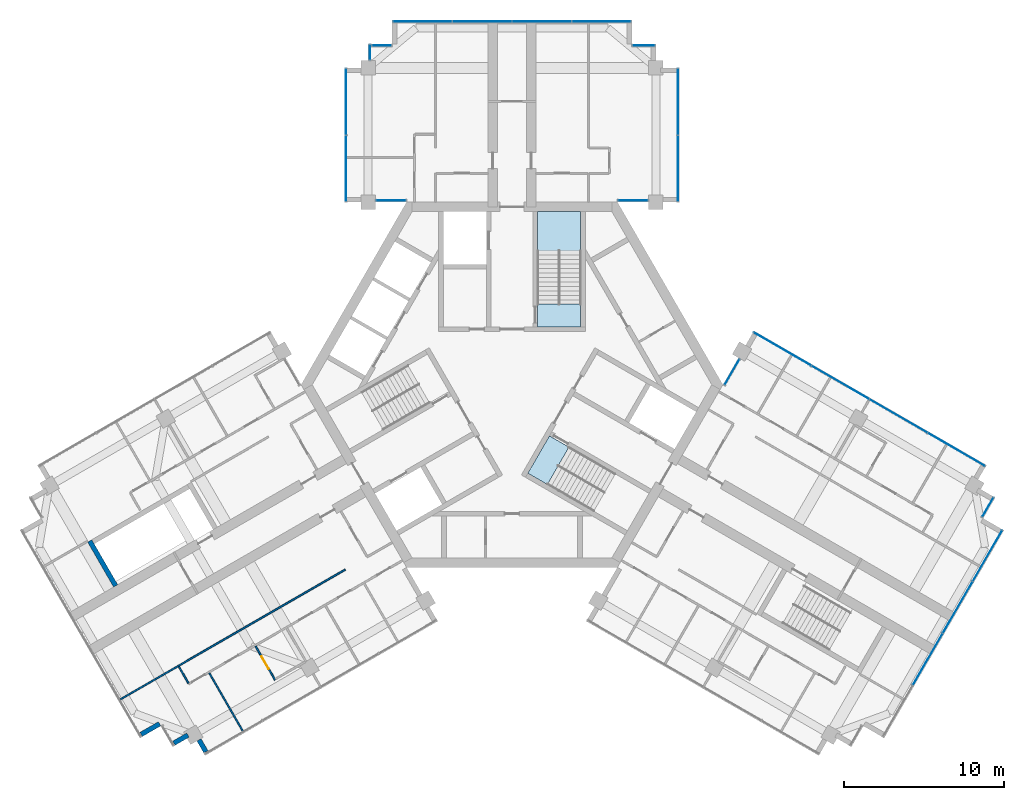
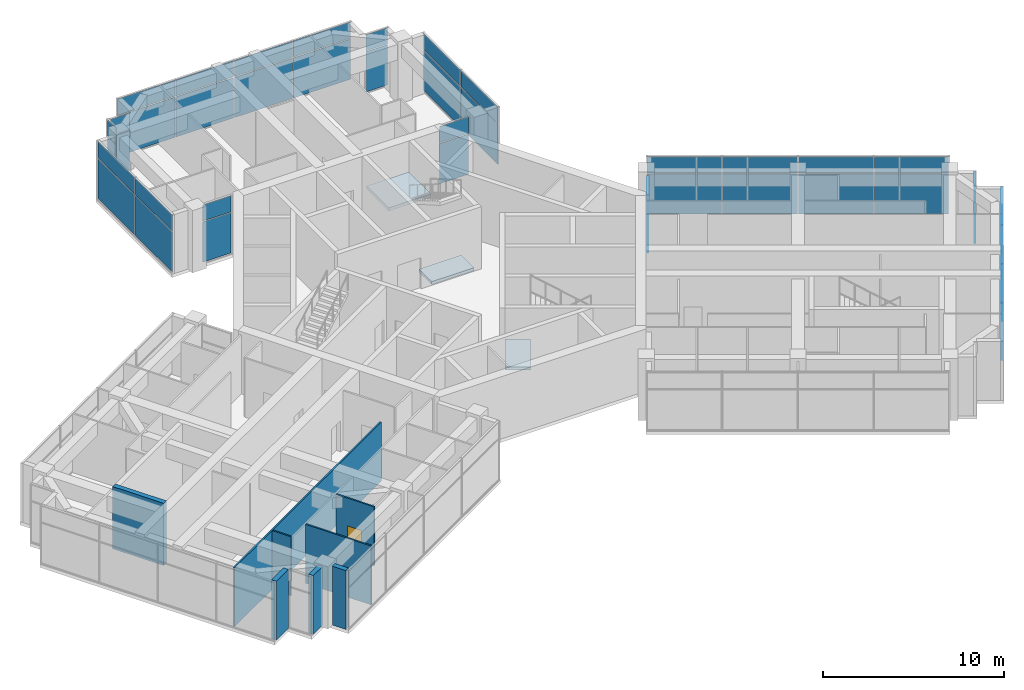
# One storey, part 8 of 14: 44 plates, 8 walls, 3 slabs, 1 door, 1 opening, 14 elements without a shape of their own.
"""IFC4 building model written with IfcOpenShell, lengths in metres."""

from ifc_helpers import new_model, si_unit, direction, frame, frame_2d, origin, origin_2d, place, context, subcontext, project, spatial, polyline, rectangle, outline, extrude, material, layer, layer_set, type_object, element, fill, aggregate, save


model = new_model("IFC4")

# Units and contexts
model_context = context("Model", 3, precision=1e-05, world=origin(), true_north=direction((0.0, 1.0)))
body_context = subcontext(model_context, "Body", "Model", "MODEL_VIEW")
ifc_project = project(units=[si_unit("LENGTHUNIT", "METRE"), si_unit("AREAUNIT", "SQUARE_METRE"), si_unit("VOLUMEUNIT", "CUBIC_METRE"), si_unit("PLANEANGLEUNIT", "RADIAN"), si_unit("MASSUNIT", "GRAM", prefix="KILO")], contexts=[model_context])

# Site, building, storey
site_placement = place(None, origin())
site = spatial("IfcSite", under=ifc_project, at=site_placement, CompositionType="ELEMENT")
building_placement = place(site_placement, origin())
building = spatial("IfcBuilding", under=site, at=building_placement, Name="Impinga Residences", CompositionType="ELEMENT")
storey_placement = place(building_placement, frame((0.0, 0.0, 278.949951171875)))
storey = spatial("IfcBuildingStorey", under=building, at=storey_placement, Name="L70", CompositionType="ELEMENT", Elevation=278.949951171875)

# Curtain wall, plates
ifc_material_1 = material(Name="Aluminium stick curtain wall", Category="aluminium")
curtain_wall_type = type_object("IfcCurtainWallType", Name="CW3 penthouse curtain wall", PredefinedType="USERDEFINED", material=ifc_material_1)
curtain_wall_1_placement = place(storey_placement, origin())
curtain_wall_1 = element("IfcCurtainWall", 1, at=curtain_wall_1_placement, inside=storey, type_object=curtain_wall_type, Name="Curtain wall CW3 L70", ObjectType="STICK CURTAIN WALL", PredefinedType="USERDEFINED")
ifc_material_2 = material(Name="Clear double glazing", Category="glass")
ifc_layer_1 = layer(ifc_material_2, 0.028076171875)
ifc_layer_set_1 = layer_set([ifc_layer_1], Name="CW3-P clear double glazed panel 28")
plate_type = type_object("IfcPlateType", Name="CW3-P clear double glazed panel 28", PredefinedType="CURTAIN_PANEL", material=ifc_layer_set_1)
plate_1_placement = place(storey_placement, frame((-7.573486328125, 11.531494140625, 0.06005859375), z_axis=(0.0, 0.0, 1.0), x_axis=(-1.0, 0.0, 0.0)))
plate_1 = element("IfcPlate", 2, at=plate_1_placement, type_object=plate_type, Name="CW3 panel 1.1", PredefinedType="CURTAIN_PANEL", context=body_context, shape_type="SweptSolid", body=[
    extrude(rectangle(XDim=1.826904296875, YDim=0.028076171875, at=origin_2d()), origin(), (0.0, 0.0, 1.0), 2.7099609375),
])
plate_2_placement = place(storey_placement, frame((-7.573486328125, 11.531494140625, 2.830078125), z_axis=(0.0, 0.0, 1.0), x_axis=(-1.0, 0.0, 0.0)))
plate_2 = element("IfcPlate", 3, at=plate_2_placement, type_object=plate_type, Name="CW3 panel 1.2", PredefinedType="CURTAIN_PANEL", context=body_context, shape_type="SweptSolid", body=[
    extrude(rectangle(XDim=1.826904296875, YDim=0.028076171875, at=origin_2d()), origin(), (0.0, 0.0, 1.0), 1.090087890625),
])
aggregate(curtain_wall_1, [plate_1, plate_2])

curtain_wall_2_placement = place(storey_placement, origin())
curtain_wall_2 = element("IfcCurtainWall", 4, at=curtain_wall_2_placement, inside=storey, type_object=curtain_wall_type, Name="Curtain wall CW3 L70", ObjectType="STICK CURTAIN WALL", PredefinedType="USERDEFINED")
plate_3_placement = place(storey_placement, frame((-10.39990234375, 13.546630859375, 0.06005859375), z_axis=(0.0, 0.0, 1.0), x_axis=(0.0, 1.0, 0.0)))
plate_3 = element("IfcPlate", 5, at=plate_3_placement, type_object=plate_type, Name="CW3 panel 1.1", PredefinedType="CURTAIN_PANEL", context=body_context, shape_type="SweptSolid", body=[
    extrude(rectangle(XDim=4.110107421875, YDim=0.028076171875, at=origin_2d()), origin(), (0.0, 0.0, 1.0), 2.7099609375),
])
plate_4_placement = place(storey_placement, frame((-10.39990234375, 13.546630859375, 2.830078125), z_axis=(0.0, 0.0, 1.0), x_axis=(0.0, 1.0, 0.0)))
plate_4 = element("IfcPlate", 6, at=plate_4_placement, type_object=plate_type, Name="CW3 panel 1.2", PredefinedType="CURTAIN_PANEL", context=body_context, shape_type="SweptSolid", body=[
    extrude(rectangle(XDim=4.110107421875, YDim=0.028076171875, at=origin_2d()), origin(), (0.0, 0.0, 1.0), 1.090087890625),
])
plate_5_placement = place(storey_placement, frame((-10.39990234375, 17.716552734375, 0.06005859375), z_axis=(0.0, 0.0, 1.0), x_axis=(0.0, 1.0, 0.0)))
plate_5 = element("IfcPlate", 7, at=plate_5_placement, type_object=plate_type, Name="CW3 panel 2.1", PredefinedType="CURTAIN_PANEL", context=body_context, shape_type="SweptSolid", body=[
    extrude(rectangle(XDim=4.110107421875, YDim=0.028076171875, at=origin_2d()), origin(), (0.0, 0.0, 1.0), 2.7099609375),
])
plate_6_placement = place(storey_placement, frame((-10.39990234375, 17.716552734375, 2.830078125), z_axis=(0.0, 0.0, 1.0), x_axis=(0.0, 1.0, 0.0)))
plate_6 = element("IfcPlate", 8, at=plate_6_placement, type_object=plate_type, Name="CW3 panel 2.2", PredefinedType="CURTAIN_PANEL", context=body_context, shape_type="SweptSolid", body=[
    extrude(rectangle(XDim=4.110107421875, YDim=0.028076171875, at=origin_2d()), origin(), (0.0, 0.0, 1.0), 1.090087890625),
])
aggregate(curtain_wall_2, [plate_3, plate_4, plate_5, plate_6])

curtain_wall_3_placement = place(storey_placement, origin())
curtain_wall_3 = element("IfcCurtainWall", 9, at=curtain_wall_3_placement, inside=storey, type_object=curtain_wall_type, Name="Curtain wall CW3 L70", ObjectType="STICK CURTAIN WALL", PredefinedType="USERDEFINED")
plate_7_placement = place(storey_placement, frame((-8.89990234375, 20.80810546875, 0.06005859375), z_axis=(0.0, 0.0, 1.0), x_axis=(0.0, 1.0, 0.0)))
plate_7 = element("IfcPlate", 10, at=plate_7_placement, type_object=plate_type, Name="CW3 panel 1.1", PredefinedType="CURTAIN_PANEL", context=body_context, shape_type="SweptSolid", body=[
    extrude(rectangle(XDim=0.927001953125, YDim=0.028076171875, at=origin_2d()), origin(), (0.0, 0.0, 1.0), 2.7099609375),
])
plate_8_placement = place(storey_placement, frame((-8.89990234375, 20.80810546875, 2.830078125), z_axis=(0.0, 0.0, 1.0), x_axis=(0.0, 1.0, 0.0)))
plate_8 = element("IfcPlate", 11, at=plate_8_placement, type_object=plate_type, Name="CW3 panel 1.2", PredefinedType="CURTAIN_PANEL", context=body_context, shape_type="SweptSolid", body=[
    extrude(rectangle(XDim=0.927001953125, YDim=0.028076171875, at=origin_2d()), origin(), (0.0, 0.0, 1.0), 1.090087890625),
])
aggregate(curtain_wall_3, [plate_7, plate_8])

curtain_wall_4_placement = place(storey_placement, origin())
curtain_wall_4 = element("IfcCurtainWall", 12, at=curtain_wall_4_placement, inside=storey, type_object=curtain_wall_type, Name="Curtain wall CW3 L70", ObjectType="STICK CURTAIN WALL", PredefinedType="USERDEFINED")
plate_9_placement = place(storey_placement, frame((-8.14990234375, 21.2314453125, 0.06005859375), z_axis=(0.0, 0.0, 1.0), x_axis=(1.0, 0.0, 0.0)))
plate_9 = element("IfcPlate", 13, at=plate_9_placement, type_object=plate_type, Name="CW3 panel 1.1", PredefinedType="CURTAIN_PANEL", context=body_context, shape_type="SweptSolid", body=[
    extrude(rectangle(XDim=1.179931640625, YDim=0.028076171875, at=origin_2d()), origin(), (0.0, 0.0, 1.0), 2.7099609375),
])
plate_10_placement = place(storey_placement, frame((-8.14990234375, 21.2314453125, 2.830078125), z_axis=(0.0, 0.0, 1.0), x_axis=(1.0, 0.0, 0.0)))
plate_10 = element("IfcPlate", 14, at=plate_10_placement, type_object=plate_type, Name="CW3 panel 1.2", PredefinedType="CURTAIN_PANEL", context=body_context, shape_type="SweptSolid", body=[
    extrude(rectangle(XDim=1.179931640625, YDim=0.028076171875, at=origin_2d()), origin(), (0.0, 0.0, 1.0), 1.090087890625),
])
aggregate(curtain_wall_4, [plate_9, plate_10])

curtain_wall_5_placement = place(storey_placement, origin())
curtain_wall_5 = element("IfcCurtainWall", 15, at=curtain_wall_5_placement, inside=storey, type_object=curtain_wall_type, Name="Curtain wall CW3 L70", ObjectType="STICK CURTAIN WALL", PredefinedType="USERDEFINED")
plate_11_placement = place(storey_placement, frame((-5.610107421875, 22.7314453125, 0.06005859375), z_axis=(0.0, 0.0, 1.0), x_axis=(1.0, 0.0, 0.0)))
plate_11 = element("IfcPlate", 16, at=plate_11_placement, type_object=plate_type, Name="CW3 panel 1.1", PredefinedType="CURTAIN_PANEL", context=body_context, shape_type="SweptSolid", body=[
    extrude(rectangle(XDim=3.659912109375, YDim=0.028076171875, at=origin_2d()), origin(), (0.0, 0.0, 1.0), 2.7099609375),
])
plate_12_placement = place(storey_placement, frame((-5.610107421875, 22.7314453125, 2.830078125), z_axis=(0.0, 0.0, 1.0), x_axis=(1.0, 0.0, 0.0)))
plate_12 = element("IfcPlate", 17, at=plate_12_placement, type_object=plate_type, Name="CW3 panel 1.2", PredefinedType="CURTAIN_PANEL", context=body_context, shape_type="SweptSolid", body=[
    extrude(rectangle(XDim=3.659912109375, YDim=0.028076171875, at=origin_2d()), origin(), (0.0, 0.0, 1.0), 1.090087890625),
])
plate_13_placement = place(storey_placement, frame((-1.875, 22.7314453125, 0.06005859375), z_axis=(0.0, 0.0, 1.0), x_axis=(1.0, 0.0, 0.0)))
plate_13 = element("IfcPlate", 18, at=plate_13_placement, type_object=plate_type, Name="CW3 panel 2.1", PredefinedType="CURTAIN_PANEL", context=body_context, shape_type="SweptSolid", body=[
    extrude(rectangle(XDim=3.68994140625, YDim=0.028076171875, at=origin_2d()), origin(), (0.0, 0.0, 1.0), 2.7099609375),
])
plate_14_placement = place(storey_placement, frame((-1.875, 22.7314453125, 2.830078125), z_axis=(0.0, 0.0, 1.0), x_axis=(1.0, 0.0, 0.0)))
plate_14 = element("IfcPlate", 19, at=plate_14_placement, type_object=plate_type, Name="CW3 panel 2.2", PredefinedType="CURTAIN_PANEL", context=body_context, shape_type="SweptSolid", body=[
    extrude(rectangle(XDim=3.68994140625, YDim=0.028076171875, at=origin_2d()), origin(), (0.0, 0.0, 1.0), 1.090087890625),
])
plate_15_placement = place(storey_placement, frame((1.875, 22.7314453125, 0.06005859375), z_axis=(0.0, 0.0, 1.0), x_axis=(1.0, 0.0, 0.0)))
plate_15 = element("IfcPlate", 20, at=plate_15_placement, type_object=plate_type, Name="CW3 panel 3.1", PredefinedType="CURTAIN_PANEL", context=body_context, shape_type="SweptSolid", body=[
    extrude(rectangle(XDim=3.68994140625, YDim=0.028076171875, at=origin_2d()), origin(), (0.0, 0.0, 1.0), 2.7099609375),
])
plate_16_placement = place(storey_placement, frame((1.875, 22.7314453125, 2.830078125), z_axis=(0.0, 0.0, 1.0), x_axis=(1.0, 0.0, 0.0)))
plate_16 = element("IfcPlate", 21, at=plate_16_placement, type_object=plate_type, Name="CW3 panel 3.2", PredefinedType="CURTAIN_PANEL", context=body_context, shape_type="SweptSolid", body=[
    extrude(rectangle(XDim=3.68994140625, YDim=0.028076171875, at=origin_2d()), origin(), (0.0, 0.0, 1.0), 1.090087890625),
])
plate_17_placement = place(storey_placement, frame((5.610107421875, 22.7314453125, 0.06005859375), z_axis=(0.0, 0.0, 1.0), x_axis=(1.0, 0.0, 0.0)))
plate_17 = element("IfcPlate", 22, at=plate_17_placement, type_object=plate_type, Name="CW3 panel 4.1", PredefinedType="CURTAIN_PANEL", context=body_context, shape_type="SweptSolid", body=[
    extrude(rectangle(XDim=3.659912109375, YDim=0.028076171875, at=origin_2d()), origin(), (0.0, 0.0, 1.0), 2.7099609375),
])
plate_18_placement = place(storey_placement, frame((5.610107421875, 22.7314453125, 2.830078125), z_axis=(0.0, 0.0, 1.0), x_axis=(1.0, 0.0, 0.0)))
plate_18 = element("IfcPlate", 23, at=plate_18_placement, type_object=plate_type, Name="CW3 panel 4.2", PredefinedType="CURTAIN_PANEL", context=body_context, shape_type="SweptSolid", body=[
    extrude(rectangle(XDim=3.659912109375, YDim=0.028076171875, at=origin_2d()), origin(), (0.0, 0.0, 1.0), 1.090087890625),
])
aggregate(curtain_wall_5, [plate_11, plate_12, plate_13, plate_14, plate_15, plate_16, plate_17, plate_18])

curtain_wall_6_placement = place(storey_placement, origin())
curtain_wall_6 = element("IfcCurtainWall", 24, at=curtain_wall_6_placement, inside=storey, type_object=curtain_wall_type, Name="Curtain wall CW3 L70", ObjectType="STICK CURTAIN WALL", PredefinedType="USERDEFINED")
plate_19_placement = place(storey_placement, frame((8.25, 21.2314453125, 0.06005859375), z_axis=(0.0, 0.0, 1.0), x_axis=(1.0, 0.0, 0.0)))
plate_19 = element("IfcPlate", 25, at=plate_19_placement, type_object=plate_type, Name="CW3 panel 1.1", PredefinedType="CURTAIN_PANEL", context=body_context, shape_type="SweptSolid", body=[
    extrude(rectangle(XDim=1.3798828125, YDim=0.028076171875, at=origin_2d()), origin(), (0.0, 0.0, 1.0), 2.7099609375),
])
plate_20_placement = place(storey_placement, frame((8.25, 21.2314453125, 2.830078125), z_axis=(0.0, 0.0, 1.0), x_axis=(1.0, 0.0, 0.0)))
plate_20 = element("IfcPlate", 26, at=plate_20_placement, type_object=plate_type, Name="CW3 panel 1.2", PredefinedType="CURTAIN_PANEL", context=body_context, shape_type="SweptSolid", body=[
    extrude(rectangle(XDim=1.3798828125, YDim=0.028076171875, at=origin_2d()), origin(), (0.0, 0.0, 1.0), 1.090087890625),
])
aggregate(curtain_wall_6, [plate_19, plate_20])

curtain_wall_7_placement = place(storey_placement, origin())
curtain_wall_7 = element("IfcCurtainWall", 27, at=curtain_wall_7_placement, inside=storey, type_object=curtain_wall_type, Name="Curtain wall CW3 L70", ObjectType="STICK CURTAIN WALL", PredefinedType="USERDEFINED")
plate_21_placement = place(storey_placement, frame((10.39990234375, 17.716552734375, 0.06005859375), z_axis=(0.0, 0.0, 1.0), x_axis=(0.0, -1.0, 0.0)))
plate_21 = element("IfcPlate", 28, at=plate_21_placement, type_object=plate_type, Name="CW3 panel 1.1", PredefinedType="CURTAIN_PANEL", context=body_context, shape_type="SweptSolid", body=[
    extrude(rectangle(XDim=4.110107421875, YDim=0.028076171875, at=origin_2d()), origin(), (0.0, 0.0, 1.0), 2.7099609375),
])
plate_22_placement = place(storey_placement, frame((10.39990234375, 17.716552734375, 2.830078125), z_axis=(0.0, 0.0, 1.0), x_axis=(0.0, -1.0, 0.0)))
plate_22 = element("IfcPlate", 29, at=plate_22_placement, type_object=plate_type, Name="CW3 panel 1.2", PredefinedType="CURTAIN_PANEL", context=body_context, shape_type="SweptSolid", body=[
    extrude(rectangle(XDim=4.110107421875, YDim=0.028076171875, at=origin_2d()), origin(), (0.0, 0.0, 1.0), 1.090087890625),
])
plate_23_placement = place(storey_placement, frame((10.39990234375, 13.546630859375, 0.06005859375), z_axis=(0.0, 0.0, 1.0), x_axis=(0.0, -1.0, 0.0)))
plate_23 = element("IfcPlate", 30, at=plate_23_placement, type_object=plate_type, Name="CW3 panel 2.1", PredefinedType="CURTAIN_PANEL", context=body_context, shape_type="SweptSolid", body=[
    extrude(rectangle(XDim=4.110107421875, YDim=0.028076171875, at=origin_2d()), origin(), (0.0, 0.0, 1.0), 2.7099609375),
])
plate_24_placement = place(storey_placement, frame((10.39990234375, 13.546630859375, 2.830078125), z_axis=(0.0, 0.0, 1.0), x_axis=(0.0, -1.0, 0.0)))
plate_24 = element("IfcPlate", 31, at=plate_24_placement, type_object=plate_type, Name="CW3 panel 2.2", PredefinedType="CURTAIN_PANEL", context=body_context, shape_type="SweptSolid", body=[
    extrude(rectangle(XDim=4.110107421875, YDim=0.028076171875, at=origin_2d()), origin(), (0.0, 0.0, 1.0), 1.090087890625),
])
aggregate(curtain_wall_7, [plate_21, plate_22, plate_23, plate_24])

curtain_wall_8_placement = place(storey_placement, origin())
curtain_wall_8 = element("IfcCurtainWall", 32, at=curtain_wall_8_placement, inside=storey, type_object=curtain_wall_type, Name="Curtain wall CW3 L70", ObjectType="STICK CURTAIN WALL", PredefinedType="USERDEFINED")
plate_25_placement = place(storey_placement, frame((7.573486328125, 11.531494140625, 0.06005859375), z_axis=(0.0, 0.0, 1.0), x_axis=(-1.0, 0.0, 0.0)))
plate_25 = element("IfcPlate", 33, at=plate_25_placement, type_object=plate_type, Name="CW3 panel 1.1", PredefinedType="CURTAIN_PANEL", context=body_context, shape_type="SweptSolid", body=[
    extrude(rectangle(XDim=1.826904296875, YDim=0.028076171875, at=origin_2d()), origin(), (0.0, 0.0, 1.0), 2.7099609375),
])
plate_26_placement = place(storey_placement, frame((7.573486328125, 11.531494140625, 2.830078125), z_axis=(0.0, 0.0, 1.0), x_axis=(-1.0, 0.0, 0.0)))
plate_26 = element("IfcPlate", 34, at=plate_26_placement, type_object=plate_type, Name="CW3 panel 1.2", PredefinedType="CURTAIN_PANEL", context=body_context, shape_type="SweptSolid", body=[
    extrude(rectangle(XDim=1.826904296875, YDim=0.028076171875, at=origin_2d()), origin(), (0.0, 0.0, 1.0), 1.090087890625),
])
aggregate(curtain_wall_8, [plate_25, plate_26])

curtain_wall_9_placement = place(storey_placement, origin())
curtain_wall_9 = element("IfcCurtainWall", 35, at=curtain_wall_9_placement, inside=storey, type_object=curtain_wall_type, Name="Curtain wall CW3 L70", ObjectType="STICK CURTAIN WALL", PredefinedType="USERDEFINED")
plate_27_placement = place(storey_placement, frame((13.7734375, 0.79296875, 0.06005859375), z_axis=(0.0, 0.0, 1.0), x_axis=(0.50000010257, 0.866025344565, 0.0)))
plate_27 = element("IfcPlate", 36, at=plate_27_placement, type_object=plate_type, Name="CW3 panel 1.1", PredefinedType="CURTAIN_PANEL", context=body_context, shape_type="SweptSolid", body=[
    extrude(rectangle(XDim=1.826904296875, YDim=0.028076171875, at=origin_2d()), origin(), (0.0, 0.0, 1.0), 2.7099609375),
])
plate_28_placement = place(storey_placement, frame((13.7734375, 0.79296875, 2.830078125), z_axis=(0.0, 0.0, 1.0), x_axis=(0.50000010257, 0.866025344565, 0.0)))
plate_28 = element("IfcPlate", 37, at=plate_28_placement, type_object=plate_type, Name="CW3 panel 1.2", PredefinedType="CURTAIN_PANEL", context=body_context, shape_type="SweptSolid", body=[
    extrude(rectangle(XDim=1.826904296875, YDim=0.028076171875, at=origin_2d()), origin(), (0.0, 0.0, 1.0), 1.090087890625),
])
aggregate(curtain_wall_9, [plate_27, plate_28])

curtain_wall_10_placement = place(storey_placement, origin())
curtain_wall_10 = element("IfcCurtainWall", 38, at=curtain_wall_10_placement, inside=storey, type_object=curtain_wall_type, Name="Curtain wall CW3 L70", ObjectType="STICK CURTAIN WALL", PredefinedType="USERDEFINED")
plate_29_placement = place(storey_placement, frame((16.931640625, 2.2333984375, 0.06005859375), z_axis=(0.0, 0.0, 1.0), x_axis=(0.866025407005, -0.499999994423, 0.0)))
plate_29 = element("IfcPlate", 39, at=plate_29_placement, type_object=plate_type, Name="CW3 panel 1.1", PredefinedType="CURTAIN_PANEL", context=body_context, shape_type="SweptSolid", body=[
    extrude(rectangle(XDim=4.110107421875, YDim=0.028076171875, at=origin_2d()), origin(), (0.0, 0.0, 1.0), 2.7099609375),
])
plate_30_placement = place(storey_placement, frame((16.931640625, 2.2333984375, 2.830078125), z_axis=(0.0, 0.0, 1.0), x_axis=(0.866025407005, -0.499999994423, 0.0)))
plate_30 = element("IfcPlate", 40, at=plate_30_placement, type_object=plate_type, Name="CW3 panel 1.2", PredefinedType="CURTAIN_PANEL", context=body_context, shape_type="SweptSolid", body=[
    extrude(rectangle(XDim=4.110107421875, YDim=0.028076171875, at=origin_2d()), origin(), (0.0, 0.0, 1.0), 1.090087890625),
])
plate_31_placement = place(storey_placement, frame((20.555908203125, 0.140869140625, 0.06005859375), z_axis=(0.0, 0.0, 1.0), x_axis=(0.866025407005, -0.499999994423, 0.0)))
plate_31 = element("IfcPlate", 41, at=plate_31_placement, type_object=plate_type, Name="CW3 panel 2.1", PredefinedType="CURTAIN_PANEL", context=body_context, shape_type="SweptSolid", body=[
    extrude(rectangle(XDim=4.139892578125, YDim=0.028076171875, at=origin_2d()), origin(), (0.0, 0.0, 1.0), 2.7099609375),
])
plate_32_placement = place(storey_placement, frame((20.555908203125, 0.140869140625, 2.830078125), z_axis=(0.0, 0.0, 1.0), x_axis=(0.866025407005, -0.499999994423, 0.0)))
plate_32 = element("IfcPlate", 42, at=plate_32_placement, type_object=plate_type, Name="CW3 panel 2.2", PredefinedType="CURTAIN_PANEL", context=body_context, shape_type="SweptSolid", body=[
    extrude(rectangle(XDim=4.139892578125, YDim=0.028076171875, at=origin_2d()), origin(), (0.0, 0.0, 1.0), 1.090087890625),
])
plate_33_placement = place(storey_placement, frame((24.193359375, -1.958984375, 0.06005859375), z_axis=(0.0, 0.0, 1.0), x_axis=(0.866025407005, -0.499999994423, 0.0)))
plate_33 = element("IfcPlate", 43, at=plate_33_placement, type_object=plate_type, Name="CW3 panel 3.1", PredefinedType="CURTAIN_PANEL", context=body_context, shape_type="SweptSolid", body=[
    extrude(rectangle(XDim=4.139892578125, YDim=0.028076171875, at=origin_2d()), origin(), (0.0, 0.0, 1.0), 2.7099609375),
])
plate_34_placement = place(storey_placement, frame((24.193359375, -1.958984375, 2.830078125), z_axis=(0.0, 0.0, 1.0), x_axis=(0.866025407005, -0.499999994423, 0.0)))
plate_34 = element("IfcPlate", 44, at=plate_34_placement, type_object=plate_type, Name="CW3 panel 3.2", PredefinedType="CURTAIN_PANEL", context=body_context, shape_type="SweptSolid", body=[
    extrude(rectangle(XDim=4.139892578125, YDim=0.028076171875, at=origin_2d()), origin(), (0.0, 0.0, 1.0), 1.090087890625),
])
plate_35_placement = place(storey_placement, frame((27.817626953125, -4.051513671875, 0.06005859375), z_axis=(0.0, 0.0, 1.0), x_axis=(0.866025407005, -0.499999994423, 0.0)))
plate_35 = element("IfcPlate", 45, at=plate_35_placement, type_object=plate_type, Name="CW3 panel 4.1", PredefinedType="CURTAIN_PANEL", context=body_context, shape_type="SweptSolid", body=[
    extrude(rectangle(XDim=4.110107421875, YDim=0.028076171875, at=origin_2d()), origin(), (0.0, 0.0, 1.0), 2.7099609375),
])
plate_36_placement = place(storey_placement, frame((27.817626953125, -4.051513671875, 2.830078125), z_axis=(0.0, 0.0, 1.0), x_axis=(0.866025407005, -0.499999994423, 0.0)))
plate_36 = element("IfcPlate", 46, at=plate_36_placement, type_object=plate_type, Name="CW3 panel 4.2", PredefinedType="CURTAIN_PANEL", context=body_context, shape_type="SweptSolid", body=[
    extrude(rectangle(XDim=4.110107421875, YDim=0.028076171875, at=origin_2d()), origin(), (0.0, 0.0, 1.0), 1.090087890625),
])
aggregate(curtain_wall_10, [plate_29, plate_30, plate_31, plate_32, plate_33, plate_34, plate_35, plate_36])

curtain_wall_11_placement = place(storey_placement, origin())
curtain_wall_11 = element("IfcCurtainWall", 47, at=curtain_wall_11_placement, inside=storey, type_object=curtain_wall_type, Name="Curtain wall CW3 L70", ObjectType="STICK CURTAIN WALL", PredefinedType="USERDEFINED")
plate_37_placement = place(storey_placement, frame((29.78662109375, -7.671142578125, 0.06005859375), z_axis=(0.0, 0.0, 1.0), x_axis=(-0.500000030502, -0.866025386174, 0.0)))
plate_37 = element("IfcPlate", 48, at=plate_37_placement, type_object=plate_type, Name="CW3 panel 1.1", PredefinedType="CURTAIN_PANEL", context=body_context, shape_type="SweptSolid", body=[
    extrude(rectangle(XDim=1.3798828125, YDim=0.028076171875, at=origin_2d()), origin(), (0.0, 0.0, 1.0), 2.7099609375),
])
plate_38_placement = place(storey_placement, frame((29.78662109375, -7.671142578125, 2.830078125), z_axis=(0.0, 0.0, 1.0), x_axis=(-0.500000030502, -0.866025386174, 0.0)))
plate_38 = element("IfcPlate", 49, at=plate_38_placement, type_object=plate_type, Name="CW3 panel 1.2", PredefinedType="CURTAIN_PANEL", context=body_context, shape_type="SweptSolid", body=[
    extrude(rectangle(XDim=1.3798828125, YDim=0.028076171875, at=origin_2d()), origin(), (0.0, 0.0, 1.0), 1.090087890625),
])
aggregate(curtain_wall_11, [plate_37, plate_38])

curtain_wall_12_placement = place(storey_placement, origin())
curtain_wall_12 = element("IfcCurtainWall", 50, at=curtain_wall_12_placement, inside=storey, type_object=curtain_wall_type, Name="Curtain wall CW3 L70", ObjectType="STICK CURTAIN WALL", PredefinedType="USERDEFINED")
plate_39_placement = place(storey_placement, frame((29.765625, -10.707275390625, 0.06005859375), z_axis=(0.0, 0.0, 1.0), x_axis=(-0.500000001632, -0.866025402842, 0.0)))
plate_39 = element("IfcPlate", 51, at=plate_39_placement, type_object=plate_type, Name="CW3 panel 1.1", PredefinedType="CURTAIN_PANEL", context=body_context, shape_type="SweptSolid", body=[
    extrude(rectangle(XDim=3.659912109375, YDim=0.028076171875, at=origin_2d()), origin(), (0.0, 0.0, 1.0), 2.7099609375),
])
plate_40_placement = place(storey_placement, frame((29.765625, -10.707275390625, 2.830078125), z_axis=(0.0, 0.0, 1.0), x_axis=(-0.500000001632, -0.866025402842, 0.0)))
plate_40 = element("IfcPlate", 52, at=plate_40_placement, type_object=plate_type, Name="CW3 panel 1.2", PredefinedType="CURTAIN_PANEL", context=body_context, shape_type="SweptSolid", body=[
    extrude(rectangle(XDim=3.659912109375, YDim=0.028076171875, at=origin_2d()), origin(), (0.0, 0.0, 1.0), 1.090087890625),
])
plate_41_placement = place(storey_placement, frame((27.898193359375, -13.94189453125, 0.06005859375), z_axis=(0.0, 0.0, 1.0), x_axis=(-0.500000001632, -0.866025402842, 0.0)))
plate_41 = element("IfcPlate", 53, at=plate_41_placement, type_object=plate_type, Name="CW3 panel 2.1", PredefinedType="CURTAIN_PANEL", context=body_context, shape_type="SweptSolid", body=[
    extrude(rectangle(XDim=3.68994140625, YDim=0.028076171875, at=origin_2d()), origin(), (0.0, 0.0, 1.0), 2.7099609375),
])
plate_42_placement = place(storey_placement, frame((27.898193359375, -13.94189453125, 2.830078125), z_axis=(0.0, 0.0, 1.0), x_axis=(-0.500000001632, -0.866025402842, 0.0)))
plate_42 = element("IfcPlate", 54, at=plate_42_placement, type_object=plate_type, Name="CW3 panel 2.2", PredefinedType="CURTAIN_PANEL", context=body_context, shape_type="SweptSolid", body=[
    extrude(rectangle(XDim=3.68994140625, YDim=0.028076171875, at=origin_2d()), origin(), (0.0, 0.0, 1.0), 1.090087890625),
])
plate_43_placement = place(storey_placement, frame((26.023193359375, -17.189453125, 0.06005859375), z_axis=(0.0, 0.0, 1.0), x_axis=(-0.500000001632, -0.866025402842, 0.0)))
plate_43 = element("IfcPlate", 55, at=plate_43_placement, type_object=plate_type, Name="CW3 panel 3.1", PredefinedType="CURTAIN_PANEL", context=body_context, shape_type="SweptSolid", body=[
    extrude(rectangle(XDim=3.68994140625, YDim=0.028076171875, at=origin_2d()), origin(), (0.0, 0.0, 1.0), 2.7099609375),
])
plate_44_placement = place(storey_placement, frame((26.023193359375, -17.189453125, 2.830078125), z_axis=(0.0, 0.0, 1.0), x_axis=(-0.500000001632, -0.866025402842, 0.0)))
plate_44 = element("IfcPlate", 56, at=plate_44_placement, type_object=plate_type, Name="CW3 panel 3.2", PredefinedType="CURTAIN_PANEL", context=body_context, shape_type="SweptSolid", body=[
    extrude(rectangle(XDim=3.68994140625, YDim=0.028076171875, at=origin_2d()), origin(), (0.0, 0.0, 1.0), 1.090087890625),
])
aggregate(curtain_wall_12, [plate_39, plate_40, plate_41, plate_42, plate_43, plate_44])

# Stair, slabs
ifc_material_3 = material(Name="Concrete C40/50", Category="concrete")
stair_type = type_object("IfcStairType", Name="STR core stair 4200 storey, 26 risers", PredefinedType="HALF_TURN_STAIR", material=ifc_material_3)
stair_1_placement = place(storey_placement, origin())
stair_1 = element("IfcStair", 57, at=stair_1_placement, inside=storey, type_object=stair_type, Name="Stair ST1 L70", PredefinedType="HALF_TURN_STAIR")
ifc_layer_2 = layer(ifc_material_3, 0.199951171875)
ifc_layer_set_2 = layer_set([ifc_layer_2], Name="Concrete C40/50")
slab_type = type_object("IfcSlabType", Name="LS1 stair landing 200", PredefinedType="LANDING", material=ifc_layer_set_2)
slab_1_placement = place(storey_placement, frame((0.0, 0.0, -0.199951171875)))
slab_1 = element("IfcSlab", 58, at=slab_1_placement, type_object=slab_type, Name="ST1 landing 1", PredefinedType="LANDING", context=body_context, shape_type="SweptSolid", body=[
    extrude(outline(polyline([(1.60009765625, 3.6298828125), (4.300048828125, 3.6298828125), (4.300048828125, 5.0400390625), (1.60009765625, 5.0400390625), (1.60009765625, 3.6298828125)])), origin(), (0.0, 0.0, 1.0), 0.199951171875),
])
slab_2_placement = place(storey_placement, frame((0.0, 0.0, 1.900146484375)))
slab_2 = element("IfcSlab", 59, at=slab_2_placement, type_object=slab_type, Name="ST1 landing 2", PredefinedType="LANDING", context=body_context, shape_type="SweptSolid", body=[
    extrude(outline(polyline([(1.60009765625, 8.3798828125), (4.300048828125, 8.3798828125), (4.300048828125, 10.83154296875), (1.60009765625, 10.83154296875), (1.60009765625, 8.3798828125)])), origin(), (0.0, 0.0, 1.0), 0.199951171875),
])
aggregate(stair_1, [slab_1, slab_2])

# Stair, slab
stair_2_placement = place(storey_placement, origin())
stair_2 = element("IfcStair", 60, at=stair_2_placement, inside=storey, type_object=stair_type, Name="Stair ST3 L70", PredefinedType="HALF_TURN_STAIR")
slab_3_placement = place(storey_placement, frame((0.0, 0.0, -0.199951171875)))
slab_3 = element("IfcSlab", 61, at=slab_3_placement, type_object=slab_type, Name="ST3 landing 1", PredefinedType="LANDING", context=body_context, shape_type="SweptSolid", body=[
    extrude(outline(polyline([(2.34375, -3.20068359375), (0.99365234375, -5.538818359375), (2.21484375, -6.243896484375), (3.564697265625, -3.90576171875), (2.34375, -3.20068359375)])), origin(), (0.0, 0.0, 1.0), 0.199951171875),
])
aggregate(stair_2, [slab_3])

# Walls
ifc_material_4 = material(Name="Stone facing on blockwork", Category="masonry")
ifc_layer_3 = layer(ifc_material_4, 0.300048828125)
ifc_layer_set_3 = layer_set([ifc_layer_3], Name="EW2 external wall, stone facing on blockwork 300")
wall_type_1 = type_object("IfcWallType", Name="EW2 external wall, stone facing on blockwork 300", PredefinedType="SOLIDWALL", material=ifc_layer_set_3)
wall_1_placement = place(storey_placement, frame((-19.161865234375, -22.973876953125, 0.0), z_axis=(0.0, 0.0, 1.0), x_axis=(-0.499885902046, 0.866091268248, 0.0)))
element("IfcWall", 62, at=wall_1_placement, inside=storey, type_object=wall_type_1, Name="External wall EW2 L70", PredefinedType="SOLIDWALL", context=body_context, shape_type="SweptSolid", body=[
    extrude(rectangle(XDim=0.862060546875, YDim=0.300048828125, at=frame_2d((0.43115234375, 0.0))), origin(), (0.0, 0.0, 1.0), 3.97998046875),
])
wall_2_placement = place(storey_placement, frame((-20.283935546875, -21.93017578125, 0.0), z_axis=(0.0, 0.0, 1.0), x_axis=(-0.866133525259, -0.499812681335, 0.0)))
element("IfcWall", 63, at=wall_2_placement, inside=storey, type_object=wall_type_1, Name="External wall EW2 L70", PredefinedType="SOLIDWALL", context=body_context, shape_type="SweptSolid", body=[
    extrude(rectangle(XDim=1.01513671875, YDim=0.300048828125, at=frame_2d((0.507568359375, 0.0))), origin(), (0.0, 0.0, 1.0), 3.97998046875),
])
wall_3_placement = place(storey_placement, frame((-22.060302734375, -21.2236328125, 0.0), z_axis=(0.0, 0.0, 1.0), x_axis=(-0.866020521143, -0.500008456887, 0.0)))
element("IfcWall", 64, at=wall_3_placement, inside=storey, type_object=wall_type_1, Name="External wall EW2 L70", PredefinedType="SOLIDWALL", context=body_context, shape_type="SweptSolid", body=[
    extrude(rectangle(XDim=1.330078125, YDim=0.300048828125, at=frame_2d((0.6650390625, 0.0))), origin(), (0.0, 0.0, 1.0), 3.97998046875),
])
ifc_material_5 = material(Name="Gypsum board on steel studs", Category="steel")
ifc_layer_4 = layer(ifc_material_5, 0.10009765625)
ifc_layer_set_4 = layer_set([ifc_layer_4], Name="Gypsum board on steel studs")
wall_type_2 = type_object("IfcWallType", Name="IP1 partition 100", PredefinedType="PARTITIONING", material=ifc_layer_set_4)
wall_4_placement = place(storey_placement, frame((-10.444580078125, -11.57275390625, 0.0), z_axis=(0.0, 0.0, 1.0), x_axis=(-0.86602583418, -0.499999254532, 0.0)))
element("IfcWall", 65, at=wall_4_placement, inside=storey, type_object=wall_type_2, Name="Partition L70-WA1:DIV1", PredefinedType="PARTITIONING", context=body_context, shape_type="SweptSolid", body=[
    extrude(rectangle(XDim=16.23681640625, YDim=0.10009765625, at=frame_2d((8.118408203125, 0.0))), origin(), (0.0, 0.0, 1.0), 3.97998046875),
])
wall_5_placement = place(storey_placement, frame((-20.85498046875, -17.640869140625, 0.0), z_axis=(0.0, 0.0, 1.0), x_axis=(0.499880961361, -0.866094119867, 0.0)))
element("IfcWall", 66, at=wall_5_placement, inside=storey, type_object=wall_type_2, Name="Partition L70-WA1:SE1", PredefinedType="PARTITIONING", context=body_context, shape_type="SweptSolid", body=[
    extrude(rectangle(XDim=1.199951171875, YDim=0.10009765625, at=frame_2d((0.60009765625, 0.0))), origin(), (0.0, 0.0, 1.0), 3.97998046875),
])
wall_6_placement = place(storey_placement, frame((-18.949462890625, -18.041748046875, 0.0), z_axis=(0.0, 0.0, 1.0), x_axis=(0.499983227221, -0.866035087336, 0.0)))
element("IfcWall", 67, at=wall_6_placement, inside=storey, type_object=wall_type_2, Name="Partition L70-WA1:OB4", PredefinedType="PARTITIONING", context=body_context, shape_type="SweptSolid", body=[
    extrude(rectangle(XDim=4.187255859375, YDim=0.10009765625, at=frame_2d((2.09375, 0.0))), origin(), (0.0, 0.0, 1.0), 3.97998046875),
])

# Wall, opening, door
wall_7_placement = place(storey_placement, frame((-16.048095703125, -16.366943359375, 0.0), z_axis=(0.0, 0.0, 1.0), x_axis=(0.499987006516, -0.866032905446, 0.0)))
wall_7 = element("IfcWall", 68, at=wall_7_placement, inside=storey, type_object=wall_type_2, Name="Partition L70-WA1:EN1", PredefinedType="PARTITIONING", context=body_context, shape_type="SweptSolid", body=[
    extrude(rectangle(XDim=2.44970703125, YDim=0.10009765625, at=frame_2d((1.224853515625, 0.0))), origin(), (0.0, 0.0, 1.0), 3.97998046875),
])
opening_placement = place(wall_7_placement, frame((0.75, 0.0, 0.0)))
opening = element("IfcOpeningElement", 69, at=opening_placement, cuts=wall_7, Name="Opening D2", PredefinedType="OPENING", context=body_context, shape_type="SweptSolid", body=[
    extrude(rectangle(XDim=0.89990234375, YDim=2.10009765625, at=frame_2d((0.449951171875, 1.050048828125))), frame((0.0, 0.06005859375, 0.0), z_axis=(0.0, -1.0, 0.0), x_axis=(1.0, 0.0, 0.0)), (0.0, 0.0, 1.0), 0.1201171875),
])
ifc_material_6 = material(Name="Timber door set", Category="wood")
door_type = type_object("IfcDoorType", Name="D2 internal door 900x2100", OperationType="SINGLE_SWING_LEFT", PredefinedType="DOOR", material=ifc_material_6)
door_placement = place(opening_placement, origin())
door = element("IfcDoor", 70, at=door_placement, inside=storey, type_object=door_type, Name="Apartment L70-WA1 en-suite door", OperationType="SINGLE_SWING_LEFT", OverallHeight=2.10009765625, OverallWidth=0.89990234375, PredefinedType="DOOR", context=body_context, shape_type="SweptSolid", body=[
    extrude(rectangle(XDim=0.89990234375, YDim=2.10009765625, at=frame_2d((0.449951171875, 1.050048828125))), frame((0.0, 0.02490234375, 0.0), z_axis=(0.0, -1.0, 0.0), x_axis=(1.0, 0.0, 0.0)), (0.0, 0.0, 1.0), 0.050048828125),
])
fill(opening, door)

# Wall
ifc_material_7 = material(Name="Concrete C60/75", Category="concrete")
ifc_layer_5 = layer(ifc_material_7, 0.300048828125)
ifc_layer_set_5 = layer_set([ifc_layer_5], Name="Concrete C60/75")
wall_type_3 = type_object("IfcWallType", Name="SE1 wing stair enclosure wall 300", PredefinedType="SOLIDWALL", material=ifc_layer_set_5)
wall_8_placement = place(storey_placement, frame((-24.8095703125, -12.591796875, 0.0), z_axis=(0.0, 0.0, 1.0), x_axis=(-0.499984717929, 0.866034226713, 0.0)))
element("IfcWall", 71, at=wall_8_placement, inside=storey, type_object=wall_type_3, Name="Stair enclosure wall SE1 W END1 L70", PredefinedType="SOLIDWALL", context=body_context, shape_type="SweptSolid", body=[
    extrude(rectangle(XDim=3.25, YDim=0.300048828125, at=frame_2d((1.625, 0.0))), origin(), (0.0, 0.0, 1.0), 4.199951171875),
])

save(model, "model.ifc")
